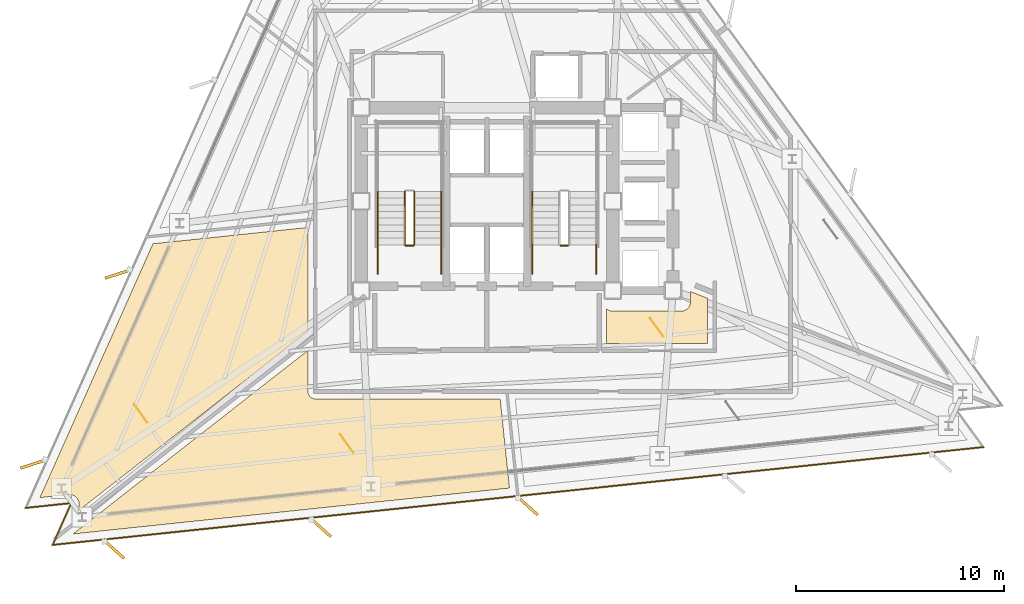
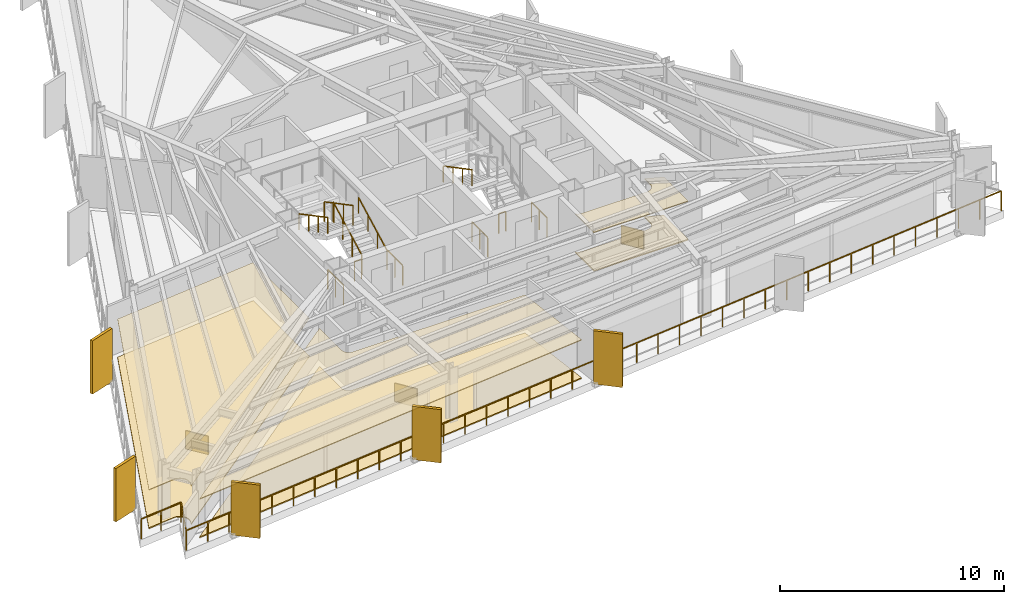
# One storey, part 10 of 12: 12 railings, 9 coverings, 5 shading devices.
"""IFC4 building model written with IfcOpenShell, lengths in metres."""

from ifc_helpers import new_model, si_unit, direction, frame, origin, origin_2d, place, context, subcontext, project, spatial, polyline, rectangle, outline, extrude, material, layer, layer_set, type_object, element, save


model = new_model("IFC4")

# Units and contexts
model_context = context("Model", 3, precision=1e-05, world=origin(), true_north=direction((0.0, 1.0)))
body_context = subcontext(model_context, "Body", "Model", "MODEL_VIEW")
ifc_project = project(units=[si_unit("LENGTHUNIT", "METRE"), si_unit("AREAUNIT", "SQUARE_METRE"), si_unit("VOLUMEUNIT", "CUBIC_METRE"), si_unit("PLANEANGLEUNIT", "RADIAN"), si_unit("MASSUNIT", "GRAM", prefix="KILO")], contexts=[model_context])

# Site, building, storey
site_placement = place(None, origin())
site = spatial("IfcSite", under=ifc_project, at=site_placement, CompositionType="ELEMENT")
building_placement = place(site_placement, origin())
building = spatial("IfcBuilding", under=site, at=building_placement, Name="Rocaltana Carrier Exchange", CompositionType="ELEMENT")
storey_placement = place(building_placement, frame((0.0, 0.0, 104.639892578125)))
storey = spatial("IfcBuildingStorey", under=building, at=storey_placement, Name="L32", CompositionType="ELEMENT", Elevation=104.639892578125)

# Coverings
ifc_material_1 = material(Name="Calcium Sulphate & Aluminium Pedestal", Category="aluminium")
ifc_layer_1 = layer(ifc_material_1, 0.06005859375)
ifc_layer_set_1 = layer_set([ifc_layer_1], Name="Calcium Sulphate & Aluminium Pedestal")
covering_type_1 = type_object("IfcCoveringType", Name="Anti-Static Raised Exchange Access Floor 60", PredefinedType="FLOORING", material=ifc_layer_set_1)
covering_1_placement = place(storey_placement, origin())
element("IfcCovering", 1, at=covering_1_placement, inside=storey, type_object=covering_type_1, Name="L32 Cloud Architecture Office Finish Floor", PredefinedType="FLOORING", context=body_context, shape_type="SweptSolid", body=[
    extrude(outline(polyline([(-19.646240234375, -14.78759765625), (-19.640869140625, -14.774658203125), (-19.633544921875, -14.756103515625), (-19.625, -14.7294921875), (-19.61962890625, -14.71044921875), (-19.613525390625, -14.68310546875), (-19.610107421875, -14.66357421875), (-19.606689453125, -14.6357421875), (-19.60546875, -14.615966796875), (-19.60498046875, -14.587890625), (-19.60546875, -14.568115234375), (-19.607666015625, -14.540283203125), (-19.6103515625, -14.5205078125), (-19.615234375, -14.492919921875), (-19.619873046875, -14.4736328125), (-19.62744140625, -14.44677734375), (-19.6337890625, -14.427978515625), (-19.644287109375, -14.402099609375), (-19.652587890625, -14.3837890625), (-19.665283203125, -14.359130859375), (-19.675537109375, -14.341796875), (-19.690673828125, -14.318603515625), (-19.702392578125, -14.30224609375), (-19.719970703125, -14.280517578125), (-19.733154296875, -14.265625), (-19.752685546875, -14.245849609375), (-19.767578125, -14.232421875), (-19.7890625, -14.214599609375), (-19.804931640625, -14.20263671875), (-19.828125, -14.18701171875), (-19.84521484375, -14.176513671875), (-19.86962890625, -14.163330078125), (-19.8876953125, -14.15478515625), (-19.91357421875, -14.14404296875), (-19.932373046875, -14.137451171875), (-19.958984375, -14.12939453125), (-19.978271484375, -14.12451171875), (-20.005615234375, -14.119140625), (-20.025390625, -14.1162109375), (-20.05322265625, -14.113525390625), (-20.072998046875, -14.11279296875), (-20.10107421875, -14.11279296875), (-20.12109375, -14.114013671875), (-20.135009765625, -14.114990234375), (-21.49609375, -14.258056640625), (-16.060791015625, -2.050048828125), (-8.610107421875, -1.266845703125), (-8.610107421875, -6.27001953125), (-19.7177734375, -14.9482421875), (-19.646240234375, -14.78759765625)])), origin(), (0.0, 0.0, 1.0), 0.06005859375),
])
covering_2_placement = place(storey_placement, origin())
element("IfcCovering", 2, at=covering_2_placement, inside=storey, type_object=covering_type_1, Name="L32 Network Operations Office Finish Floor", PredefinedType="FLOORING", context=body_context, shape_type="SweptSolid", body=[
    extrude(outline(polyline([(-19.902587890625, -16.00634765625), (-8.610107421875, -7.18359375), (-8.610107421875, -9.14990234375), (-8.609619140625, -9.163818359375), (-8.609375, -9.171630859375), (-8.606689453125, -9.198974609375), (-8.60546875, -9.206787109375), (-8.60009765625, -9.233642578125), (-8.59814453125, -9.2412109375), (-8.590087890625, -9.267578125), (-8.58740234375, -9.27490234375), (-8.576904296875, -9.30029296875), (-8.57373046875, -9.307373046875), (-8.560791015625, -9.331787109375), (-8.556640625, -9.33837890625), (-8.54150390625, -9.361083984375), (-8.53662109375, -9.367431640625), (-8.519287109375, -9.388916015625), (-8.513916015625, -9.39453125), (-8.49462890625, -9.4140625), (-8.48876953125, -9.419189453125), (-8.467529296875, -9.436767578125), (-8.461181640625, -9.44140625), (-8.4384765625, -9.456787109375), (-8.431640625, -9.460693359375), (-8.407470703125, -9.4736328125), (-8.400390625, -9.47705078125), (-8.375, -9.487548828125), (-8.36767578125, -9.490234375), (-8.34130859375, -9.498291015625), (-8.33349609375, -9.5), (-8.306640625, -9.50537109375), (-8.298828125, -9.506591796875), (-8.271484375, -9.50927734375), (-8.263671875, -9.509765625), (-8.25, -9.510009765625), (0.6376953125, -9.510009765625), (1.08837890625, -13.800048828125), (-19.902587890625, -16.00634765625)])), origin(), (0.0, 0.0, 1.0), 0.06005859375),
])
covering_3_placement = place(storey_placement, origin())
element("IfcCovering", 3, at=covering_3_placement, inside=storey, type_object=covering_type_1, Name="L32 Optical Switching Laboratory Finish Floor", PredefinedType="FLOORING", context=body_context, shape_type="SweptSolid", body=[
    extrude(outline(polyline([(5.739990234375, -6.840087890625), (5.739990234375, -5.161865234375), (5.748779296875, -5.170654296875), (5.760498046875, -5.18115234375), (5.78173828125, -5.198486328125), (5.794189453125, -5.2080078125), (5.817138671875, -5.22314453125), (5.83056640625, -5.231201171875), (5.85498046875, -5.244140625), (5.869140625, -5.2509765625), (5.894287109375, -5.261474609375), (5.9091796875, -5.2666015625), (5.935546875, -5.274658203125), (5.95068359375, -5.278564453125), (5.977783203125, -5.283935546875), (5.9931640625, -5.2861328125), (6.0205078125, -5.288818359375), (6.036376953125, -5.289794921875), (6.050048828125, -5.2900390625), (9.35009765625, -5.2900390625), (9.36376953125, -5.289794921875), (9.37939453125, -5.288818359375), (9.40673828125, -5.2861328125), (9.42236328125, -5.283935546875), (9.44921875, -5.278564453125), (9.464599609375, -5.274658203125), (9.49072265625, -5.2666015625), (9.505615234375, -5.261474609375), (9.531005859375, -5.2509765625), (9.545166015625, -5.244140625), (9.5693359375, -5.231201171875), (9.582763671875, -5.22314453125), (9.605712890625, -5.2080078125), (9.618408203125, -5.198486328125), (9.639404296875, -5.18115234375), (9.651123046875, -5.170654296875), (9.670654296875, -5.151123046875), (9.68115234375, -5.139404296875), (9.698486328125, -5.118408203125), (9.7080078125, -5.105712890625), (9.72314453125, -5.082763671875), (9.731201171875, -5.0693359375), (9.744140625, -5.045166015625), (9.7509765625, -5.031005859375), (9.761474609375, -5.005615234375), (9.7666015625, -4.99072265625), (9.774658203125, -4.964599609375), (9.778564453125, -4.94921875), (9.783935546875, -4.92236328125), (9.7861328125, -4.90673828125), (9.788818359375, -4.87939453125), (9.789794921875, -4.86376953125), (9.7900390625, -4.85009765625), (9.7900390625, -4.34375), (10.60009765625, -4.6708984375), (10.60009765625, -6.840087890625), (5.739990234375, -6.840087890625)])), origin(), (0.0, 0.0, 1.0), 0.06005859375),
])
ifc_material_2 = material(Name="Mineral Fibre & Powder-Coated Aluminium", Category="aluminium")
ifc_layer_2 = layer(ifc_material_2, 0.044921875)
ifc_layer_set_2 = layer_set([ifc_layer_2], Name="Mineral Fibre & Powder-Coated Aluminium")
covering_type_2 = type_object("IfcCoveringType", Name="Micro-Perforated Acoustic Ceiling 45", PredefinedType="CEILING", material=ifc_layer_set_2)
covering_4_placement = place(storey_placement, frame((0.0, 0.0, 2.093017578125)))
element("IfcCovering", 4, at=covering_4_placement, inside=storey, type_object=covering_type_2, Name="L32 Cloud Architecture Office Acoustic Ceiling", PredefinedType="CEILING", context=body_context, shape_type="SweptSolid", body=[
    extrude(outline(polyline([(-19.646240234375, -14.78759765625), (-19.640869140625, -14.774658203125), (-19.633544921875, -14.756103515625), (-19.625, -14.7294921875), (-19.61962890625, -14.71044921875), (-19.613525390625, -14.68310546875), (-19.610107421875, -14.66357421875), (-19.606689453125, -14.6357421875), (-19.60546875, -14.615966796875), (-19.60498046875, -14.587890625), (-19.60546875, -14.568115234375), (-19.607666015625, -14.540283203125), (-19.6103515625, -14.5205078125), (-19.615234375, -14.492919921875), (-19.619873046875, -14.4736328125), (-19.62744140625, -14.44677734375), (-19.6337890625, -14.427978515625), (-19.644287109375, -14.402099609375), (-19.652587890625, -14.3837890625), (-19.665283203125, -14.359130859375), (-19.675537109375, -14.341796875), (-19.690673828125, -14.318603515625), (-19.702392578125, -14.30224609375), (-19.719970703125, -14.280517578125), (-19.733154296875, -14.265625), (-19.752685546875, -14.245849609375), (-19.767578125, -14.232421875), (-19.7890625, -14.214599609375), (-19.804931640625, -14.20263671875), (-19.828125, -14.18701171875), (-19.84521484375, -14.176513671875), (-19.86962890625, -14.163330078125), (-19.8876953125, -14.15478515625), (-19.91357421875, -14.14404296875), (-19.932373046875, -14.137451171875), (-19.958984375, -14.12939453125), (-19.978271484375, -14.12451171875), (-20.005615234375, -14.119140625), (-20.025390625, -14.1162109375), (-20.05322265625, -14.113525390625), (-20.072998046875, -14.11279296875), (-20.10107421875, -14.11279296875), (-20.12109375, -14.114013671875), (-20.135009765625, -14.114990234375), (-21.49609375, -14.258056640625), (-16.060791015625, -2.050048828125), (-8.610107421875, -1.266845703125), (-8.610107421875, -6.27001953125), (-19.7177734375, -14.9482421875), (-19.646240234375, -14.78759765625)])), origin(), (0.0, 0.0, 1.0), 0.045166015625),
])
covering_5_placement = place(storey_placement, frame((0.0, 0.0, 2.093017578125)))
element("IfcCovering", 5, at=covering_5_placement, inside=storey, type_object=covering_type_2, Name="L32 Network Operations Office Acoustic Ceiling", PredefinedType="CEILING", context=body_context, shape_type="SweptSolid", body=[
    extrude(outline(polyline([(-19.902587890625, -16.00634765625), (-8.610107421875, -7.18359375), (-8.610107421875, -9.14990234375), (-8.609619140625, -9.163818359375), (-8.609375, -9.171630859375), (-8.606689453125, -9.198974609375), (-8.60546875, -9.206787109375), (-8.60009765625, -9.233642578125), (-8.59814453125, -9.2412109375), (-8.590087890625, -9.267578125), (-8.58740234375, -9.27490234375), (-8.576904296875, -9.30029296875), (-8.57373046875, -9.307373046875), (-8.560791015625, -9.331787109375), (-8.556640625, -9.33837890625), (-8.54150390625, -9.361083984375), (-8.53662109375, -9.367431640625), (-8.519287109375, -9.388916015625), (-8.513916015625, -9.39453125), (-8.49462890625, -9.4140625), (-8.48876953125, -9.419189453125), (-8.467529296875, -9.436767578125), (-8.461181640625, -9.44140625), (-8.4384765625, -9.456787109375), (-8.431640625, -9.460693359375), (-8.407470703125, -9.4736328125), (-8.400390625, -9.47705078125), (-8.375, -9.487548828125), (-8.36767578125, -9.490234375), (-8.34130859375, -9.498291015625), (-8.33349609375, -9.5), (-8.306640625, -9.50537109375), (-8.298828125, -9.506591796875), (-8.271484375, -9.50927734375), (-8.263671875, -9.509765625), (-8.25, -9.510009765625), (0.6376953125, -9.510009765625), (1.08837890625, -13.800048828125), (-19.902587890625, -16.00634765625)])), origin(), (0.0, 0.0, 1.0), 0.045166015625),
])
covering_6_placement = place(storey_placement, frame((0.0, 0.0, 2.093017578125)))
element("IfcCovering", 6, at=covering_6_placement, inside=storey, type_object=covering_type_2, Name="L32 Optical Switching Laboratory Acoustic Ceiling", PredefinedType="CEILING", context=body_context, shape_type="SweptSolid", body=[
    extrude(outline(polyline([(5.739990234375, -6.840087890625), (5.739990234375, -5.161865234375), (5.748779296875, -5.170654296875), (5.760498046875, -5.18115234375), (5.78173828125, -5.198486328125), (5.794189453125, -5.2080078125), (5.817138671875, -5.22314453125), (5.83056640625, -5.231201171875), (5.85498046875, -5.244140625), (5.869140625, -5.2509765625), (5.894287109375, -5.261474609375), (5.9091796875, -5.2666015625), (5.935546875, -5.274658203125), (5.95068359375, -5.278564453125), (5.977783203125, -5.283935546875), (5.9931640625, -5.2861328125), (6.0205078125, -5.288818359375), (6.036376953125, -5.289794921875), (6.050048828125, -5.2900390625), (9.35009765625, -5.2900390625), (9.36376953125, -5.289794921875), (9.37939453125, -5.288818359375), (9.40673828125, -5.2861328125), (9.42236328125, -5.283935546875), (9.44921875, -5.278564453125), (9.464599609375, -5.274658203125), (9.49072265625, -5.2666015625), (9.505615234375, -5.261474609375), (9.531005859375, -5.2509765625), (9.545166015625, -5.244140625), (9.5693359375, -5.231201171875), (9.582763671875, -5.22314453125), (9.605712890625, -5.2080078125), (9.618408203125, -5.198486328125), (9.639404296875, -5.18115234375), (9.651123046875, -5.170654296875), (9.670654296875, -5.151123046875), (9.68115234375, -5.139404296875), (9.698486328125, -5.118408203125), (9.7080078125, -5.105712890625), (9.72314453125, -5.082763671875), (9.731201171875, -5.0693359375), (9.744140625, -5.045166015625), (9.7509765625, -5.031005859375), (9.761474609375, -5.005615234375), (9.7666015625, -4.99072265625), (9.774658203125, -4.964599609375), (9.778564453125, -4.94921875), (9.783935546875, -4.92236328125), (9.7861328125, -4.90673828125), (9.788818359375, -4.87939453125), (9.789794921875, -4.86376953125), (9.7900390625, -4.85009765625), (9.7900390625, -4.34375), (10.60009765625, -4.6708984375), (10.60009765625, -6.840087890625), (5.739990234375, -6.840087890625)])), origin(), (0.0, 0.0, 1.0), 0.045166015625),
])

# Railings
ifc_material_3 = material(Name="Brushed Architectural Stainless Tube", Category="steel")
ifc_layer_3 = layer(ifc_material_3, 0.048095703125)
ifc_layer_set_3 = layer_set([ifc_layer_3], Name="Brushed Architectural Stainless Tube")
railing_type_1 = type_object("IfcRailingType", Name="Stair Wall Handrail 920", PredefinedType="HANDRAIL", material=ifc_layer_set_3)
railing_1_placement = place(storey_placement, frame((-2.18994140625, -2.10009765625, 0.1689453125)))
element("IfcRailing", 7, at=railing_1_placement, inside=storey, type_object=railing_type_1, Name="L32 ST-1 stair handrail 1", PredefinedType="HANDRAIL", context=body_context, shape_type="SweptSolid", body=[
    extrude(rectangle(XDim=0.048095703125, YDim=0.048095703125, at=origin_2d()), frame((0.0, 0.0, 0.8759765625), z_axis=(0.0, 0.884394423565, 0.466740295633), x_axis=(-1.0, 0.0, 0.0)), (0.0, 0.0, 1.0), 2.894775390625),
    extrude(rectangle(XDim=0.0419921875, YDim=0.0419921875, at=origin_2d()), origin(), (0.0, 0.0, 1.0), 0.851806640625),
    extrude(rectangle(XDim=0.0419921875, YDim=0.0419921875, at=origin_2d()), frame((0.0, 0.853271484375, 0.450439453125)), (0.0, 0.0, 1.0), 0.851806640625),
    extrude(rectangle(XDim=0.0419921875, YDim=0.0419921875, at=origin_2d()), frame((0.0, 1.706787109375, 0.900634765625)), (0.0, 0.0, 1.0), 0.851806640625),
    extrude(rectangle(XDim=0.0419921875, YDim=0.0419921875, at=origin_2d()), frame((0.0, 2.56005859375, 1.35107421875)), (0.0, 0.0, 1.0), 0.851806640625),
])
for number, where, name in (
    (8, (-5.25, 0.4599609375, 1.68896484375), "L32 ST-1 stair handrail 2"),
    (9, (2.18994140625, 0.4599609375, 1.68896484375), "L32 ST-2 stair handrail 2"),
):
    element("IfcRailing", number, at=place(storey_placement, frame(where)), inside=storey, type_object=railing_type_1, Name=name, PredefinedType="HANDRAIL", context=body_context, shape_type="SweptSolid", body=[
        extrude(rectangle(XDim=0.048095703125, YDim=0.048095703125, at=origin_2d()), frame((0.0, 0.0, 0.8759765625), z_axis=(0.0, -0.884394423565, 0.466740295633), x_axis=(1.0, 0.0, 0.0)), (0.0, 0.0, 1.0), 2.894775390625),
        extrude(rectangle(XDim=0.0419921875, YDim=0.0419921875, at=origin_2d()), origin(), (0.0, 0.0, 1.0), 0.851806640625),
        extrude(rectangle(XDim=0.0419921875, YDim=0.0419921875, at=origin_2d()), frame((0.0, -0.853271484375, 0.450439453125)), (0.0, 0.0, 1.0), 0.851806640625),
        extrude(rectangle(XDim=0.0419921875, YDim=0.0419921875, at=origin_2d()), frame((0.0, -1.706787109375, 0.900634765625)), (0.0, 0.0, 1.0), 0.851806640625),
        extrude(rectangle(XDim=0.0419921875, YDim=0.0419921875, at=origin_2d()), frame((0.0, -2.56005859375, 1.35107421875)), (0.0, 0.0, 1.0), 0.851806640625),
    ])
ifc_material_4 = material(Name="Powder-Coated Aluminium 6063-T6", Category="aluminium")
ifc_layer_4 = layer(ifc_material_4, 0.048095703125)
ifc_layer_set_4 = layer_set([ifc_layer_4], Name="Powder-Coated Aluminium 6063-T6")
railing_type_2 = type_object("IfcRailingType", Name="Stair Well Guardrail 1100", PredefinedType="GUARDRAIL", material=ifc_layer_set_4)
railing_2_placement = place(storey_placement, frame((-3.489990234375, -2.10009765625, 0.1689453125)))
element("IfcRailing", 10, at=railing_2_placement, inside=storey, type_object=railing_type_2, Name="L32 ST-1 stair guard 1", PredefinedType="GUARDRAIL", context=body_context, shape_type="SweptSolid", body=[
    extrude(rectangle(XDim=0.048095703125, YDim=0.048095703125, at=origin_2d()), frame((0.0, 0.0, 1.076171875), z_axis=(0.0, 0.884394423565, 0.466740295633), x_axis=(-1.0, 0.0, 0.0)), (0.0, 0.0, 1.0), 2.894775390625),
    extrude(rectangle(XDim=0.0419921875, YDim=0.0419921875, at=origin_2d()), origin(), (0.0, 0.0, 1.0), 1.052001953125),
    extrude(rectangle(XDim=0.0419921875, YDim=0.0419921875, at=origin_2d()), frame((0.0, 0.853271484375, 0.450439453125)), (0.0, 0.0, 1.0), 1.052001953125),
    extrude(rectangle(XDim=0.0419921875, YDim=0.0419921875, at=origin_2d()), frame((0.0, 1.706787109375, 0.900634765625)), (0.0, 0.0, 1.0), 1.052001953125),
    extrude(rectangle(XDim=0.0419921875, YDim=0.0419921875, at=origin_2d()), frame((0.0, 2.56005859375, 1.35107421875)), (0.0, 0.0, 1.0), 1.052001953125),
])
railing_3_placement = place(storey_placement, frame((-3.949951171875, 0.4599609375, 1.68896484375)))
element("IfcRailing", 11, at=railing_3_placement, inside=storey, type_object=railing_type_2, Name="L32 ST-1 stair guard 6", PredefinedType="GUARDRAIL", context=body_context, shape_type="SweptSolid", body=[
    extrude(rectangle(XDim=0.048095703125, YDim=0.048095703125, at=origin_2d()), frame((0.0, 0.0, 1.076171875), z_axis=(0.0, -0.884394423565, 0.466740295633), x_axis=(1.0, 0.0, 0.0)), (0.0, 0.0, 1.0), 2.894775390625),
    extrude(rectangle(XDim=0.0419921875, YDim=0.0419921875, at=origin_2d()), origin(), (0.0, 0.0, 1.0), 1.052001953125),
    extrude(rectangle(XDim=0.0419921875, YDim=0.0419921875, at=origin_2d()), frame((0.0, -0.853271484375, 0.450439453125)), (0.0, 0.0, 1.0), 1.052001953125),
    extrude(rectangle(XDim=0.0419921875, YDim=0.0419921875, at=origin_2d()), frame((0.0, -1.706787109375, 0.900634765625)), (0.0, 0.0, 1.0), 1.052001953125),
    extrude(rectangle(XDim=0.0419921875, YDim=0.0419921875, at=origin_2d()), frame((0.0, -2.56005859375, 1.35107421875)), (0.0, 0.0, 1.0), 1.052001953125),
])
railing_4_placement = place(storey_placement, frame((-3.5400390625, -2.14990234375, 0.0)))
element("IfcRailing", 12, at=railing_4_placement, inside=storey, type_object=railing_type_2, Name="L32 ST-1 stair guard 7", PredefinedType="GUARDRAIL", context=body_context, shape_type="SweptSolid", body=[
    extrude(rectangle(XDim=0.048095703125, YDim=0.048095703125, at=origin_2d()), frame((0.0, 0.0, 1.076171875), z_axis=(-1.0, 0.0, 0.0), x_axis=(0.0, -1.0, 0.0)), (0.0, 0.0, 1.0), 0.35986328125),
    extrude(rectangle(XDim=0.0419921875, YDim=0.0419921875, at=origin_2d()), origin(), (0.0, 0.0, 1.0), 1.052001953125),
    extrude(rectangle(XDim=0.0419921875, YDim=0.0419921875, at=origin_2d()), frame((-0.35986328125, 0.0, 0.0)), (0.0, 0.0, 1.0), 1.052001953125),
])
for number, where, name in (
    (13, (-2.18994140625, -3.5, 0.0), "L32 ST-1 stair guard 8"),
    (14, (-5.25, -3.5, 0.0), "L32 ST-1 stair guard 9"),
):
    element("IfcRailing", number, at=place(storey_placement, frame(where)), inside=storey, type_object=railing_type_2, Name=name, PredefinedType="GUARDRAIL", context=body_context, shape_type="SweptSolid", body=[
        extrude(rectangle(XDim=0.048095703125, YDim=0.048095703125, at=origin_2d()), frame((0.0, 0.0, 1.076171875), z_axis=(0.0, 1.0, 0.0), x_axis=(-1.0, 0.0, 0.0)), (0.0, 0.0, 1.0), 1.39990234375),
        extrude(rectangle(XDim=0.0419921875, YDim=0.0419921875, at=origin_2d()), origin(), (0.0, 0.0, 1.0), 1.052001953125),
        extrude(rectangle(XDim=0.0419921875, YDim=0.0419921875, at=origin_2d()), frame((0.0, 0.699951171875, 0.0)), (0.0, 0.0, 1.0), 1.052001953125),
        extrude(rectangle(XDim=0.0419921875, YDim=0.0419921875, at=origin_2d()), frame((0.0, 1.39990234375, 0.0)), (0.0, 0.0, 1.0), 1.052001953125),
    ])
railing_5_placement = place(storey_placement, frame((3.89990234375, -2.14990234375, 0.0)))
element("IfcRailing", 15, at=railing_5_placement, inside=storey, type_object=railing_type_2, Name="L32 ST-2 stair guard 7", PredefinedType="GUARDRAIL", context=body_context, shape_type="SweptSolid", body=[
    extrude(rectangle(XDim=0.048095703125, YDim=0.048095703125, at=origin_2d()), frame((0.0, 0.0, 1.076171875), z_axis=(-1.0, 0.0, 0.0), x_axis=(0.0, -1.0, 0.0)), (0.0, 0.0, 1.0), 0.35986328125),
    extrude(rectangle(XDim=0.0419921875, YDim=0.0419921875, at=origin_2d()), origin(), (0.0, 0.0, 1.0), 1.052001953125),
    extrude(rectangle(XDim=0.0419921875, YDim=0.0419921875, at=origin_2d()), frame((-0.35986328125, 0.0, 0.0)), (0.0, 0.0, 1.0), 1.052001953125),
])
for number, where, name in (
    (16, (5.25, -3.5, 0.0), "L32 ST-2 stair guard 8"),
    (17, (2.18994140625, -3.5, 0.0), "L32 ST-2 stair guard 9"),
):
    element("IfcRailing", number, at=place(storey_placement, frame(where)), inside=storey, type_object=railing_type_2, Name=name, PredefinedType="GUARDRAIL", context=body_context, shape_type="SweptSolid", body=[
        extrude(rectangle(XDim=0.048095703125, YDim=0.048095703125, at=origin_2d()), frame((0.0, 0.0, 1.076171875), z_axis=(0.0, 1.0, 0.0), x_axis=(-1.0, 0.0, 0.0)), (0.0, 0.0, 1.0), 1.39990234375),
        extrude(rectangle(XDim=0.0419921875, YDim=0.0419921875, at=origin_2d()), origin(), (0.0, 0.0, 1.0), 1.052001953125),
        extrude(rectangle(XDim=0.0419921875, YDim=0.0419921875, at=origin_2d()), frame((0.0, 0.699951171875, 0.0)), (0.0, 0.0, 1.0), 1.052001953125),
        extrude(rectangle(XDim=0.0419921875, YDim=0.0419921875, at=origin_2d()), frame((0.0, 1.39990234375, 0.0)), (0.0, 0.0, 1.0), 1.052001953125),
    ])

# Coverings
ifc_material_5 = material(Name="Honed Piedra Muneca Sandstone", Category="masonry")
ifc_layer_5 = layer(ifc_material_5, 0.034912109375)
ifc_layer_set_5 = layer_set([ifc_layer_5], Name="Honed Piedra Muneca Sandstone")
covering_type_3 = type_object("IfcCoveringType", Name="Stone Facade Cladding 35", PredefinedType="CLADDING", material=ifc_layer_set_5)
for number, where, z_axis, x_axis, name in (
    (18, (-16.6572265625, -10.19140625, 0.0), (0.0, 0.0, 1.0), (-0.587785252292, 0.809016994375, 0.0), "L32 Stone Facade Cladding Panel 1"),
    (19, (-6.735107421875, -11.655029296875, 0.0), (0.0, 0.0, 1.0), (-0.587785252292, 0.809016994375, 0.0), "L32 Stone Facade Cladding Panel 2"),
    (20, (8.169921875, -6.06494140625, 0.0), (0.0, 0.0, 1.0), (-0.587785252292, 0.809016994375, 0.0), "L32 Stone Facade Cladding Panel 4"),
):
    element("IfcCovering", number, at=place(storey_placement, frame(where, z_axis=z_axis, x_axis=x_axis)), inside=storey, type_object=covering_type_3, Name=name, PredefinedType="CLADDING", context=body_context, shape_type="SweptSolid", body=[
        extrude(rectangle(XDim=1.10009765625, YDim=0.034912109375, at=origin_2d()), origin(), (0.0, 0.0, 1.0), 1.050048828125),
    ])

# Shading devices
ifc_material_6 = material(Name="Honed Bogota Sandstone & Concrete C45/55", Category="masonry")
ifc_layer_6 = layer(ifc_material_6, 0.139892578125)
ifc_layer_set_6 = layer_set([ifc_layer_6], Name="Honed Bogota Sandstone & Concrete C45/55")
shading_device_type = type_object("IfcShadingDeviceType", Name="Vertical Sandstone Shading Fin 1320x140", PredefinedType="USERDEFINED", material=ifc_layer_set_6)
for number, where, z_axis, x_axis, name in (
    (21, (-17.7373046875, -3.50341796875, -0.11962890625), (0.0, 0.0, 1.0), (-0.951056516295, -0.309016994375, 0.0), "L32 Sandstone Vertical Fin F2-04"),
    (22, (-21.8046875, -12.638671875, -0.11962890625), (0.0, 0.0, 1.0), (-0.951056516295, -0.309016994375, 0.0), "L32 Sandstone Vertical Fin F2-05"),
    (23, (-17.93310546875, -16.745361328125, -0.11962890625), (0.0, 0.0, 1.0), (0.743144825477, -0.669130606359, 0.0), "L32 Sandstone Vertical Fin F3-01"),
    (24, (-7.98779296875, -15.699951171875, -0.11962890625), (0.0, 0.0, 1.0), (0.743144825477, -0.669130606359, 0.0), "L32 Sandstone Vertical Fin F3-02"),
    (25, (1.95751953125, -14.65478515625, -0.11962890625), (0.0, 0.0, 1.0), (0.743144825477, -0.669130606359, 0.0), "L32 Sandstone Vertical Fin F3-03"),
):
    element("IfcShadingDevice", number, at=place(storey_placement, frame(where, z_axis=z_axis, x_axis=x_axis)), inside=storey, type_object=shading_device_type, Name=name, ObjectType="FIN", PredefinedType="USERDEFINED", context=body_context, shape_type="SweptSolid", body=[
        extrude(rectangle(XDim=1.320068359375, YDim=0.139892578125, at=origin_2d()), origin(), (0.0, 0.0, 1.0), 2.907958984375),
    ])

# Railing
ifc_material_7 = material(Name="Powder-Coated Aluminium 6063-T6", Category="aluminium")
ifc_layer_7 = layer(ifc_material_7, 0.06005859375)
ifc_layer_set_7 = layer_set([ifc_layer_7], Name="Powder-Coated Aluminium 6063-T6")
railing_type_3 = type_object("IfcRailingType", Name="Wind-Floor & Terrace Perimeter Guardrail 1100", PredefinedType="GUARDRAIL", material=ifc_layer_set_7)
railing_6_placement = place(storey_placement, frame((23.86328125, -11.82861328125, 0.0)))
element("IfcRailing", 26, at=railing_6_placement, inside=storey, type_object=railing_type_3, Name="L32 Perimeter Balcony Guardrail 1", PredefinedType="GUARDRAIL", context=body_context, shape_type="SweptSolid", body=[
    extrude(rectangle(XDim=0.048095703125, YDim=0.048095703125, at=origin_2d()), frame((0.0, 0.0, 1.076171875), z_axis=(-0.994521497127, -0.104532252211, 0.0), x_axis=(0.104532252211, -0.994521497127, 0.0)), (0.0, 0.0, 1.0), 44.9921875),
    extrude(rectangle(XDim=0.048095703125, YDim=0.048095703125, at=origin_2d()), frame((-44.74560546875, -4.703125, 1.076171875), z_axis=(0.406725294076, 0.913550510459, 0.0), x_axis=(-0.913550510459, 0.406725294076, 0.0)), (0.0, 0.0, 1.0), 2.199951171875),
    extrude(rectangle(XDim=0.048095703125, YDim=0.048095703125, at=origin_2d()), frame((-43.850830078125, -2.693359375, 1.076171875), z_axis=(-0.994521251134, -0.104534592565, 0.0), x_axis=(0.104534592565, -0.994521251134, 0.0)), (0.0, 0.0, 1.0), 2.199951171875),
    extrude(rectangle(XDim=0.0419921875, YDim=0.0419921875, at=origin_2d()), origin(), (0.0, 0.0, 1.0), 1.052001953125),
    extrude(rectangle(XDim=0.0419921875, YDim=0.0419921875, at=origin_2d()), frame((-1.177490234375, -0.123779296875, 0.0)), (0.0, 0.0, 1.0), 1.052001953125),
    extrude(rectangle(XDim=0.0419921875, YDim=0.0419921875, at=origin_2d()), frame((-2.35498046875, -0.24755859375, 0.0)), (0.0, 0.0, 1.0), 1.052001953125),
    extrude(rectangle(XDim=0.0419921875, YDim=0.0419921875, at=origin_2d()), frame((-3.532470703125, -0.371337890625, 0.0)), (0.0, 0.0, 1.0), 1.052001953125),
    extrude(rectangle(XDim=0.0419921875, YDim=0.0419921875, at=origin_2d()), frame((-4.7099609375, -0.4951171875, 0.0)), (0.0, 0.0, 1.0), 1.052001953125),
    extrude(rectangle(XDim=0.0419921875, YDim=0.0419921875, at=origin_2d()), frame((-5.8876953125, -0.618896484375, 0.0)), (0.0, 0.0, 1.0), 1.052001953125),
    extrude(rectangle(XDim=0.0419921875, YDim=0.0419921875, at=origin_2d()), frame((-7.065185546875, -0.74267578125, 0.0)), (0.0, 0.0, 1.0), 1.052001953125),
    extrude(rectangle(XDim=0.0419921875, YDim=0.0419921875, at=origin_2d()), frame((-8.24267578125, -0.866455078125, 0.0)), (0.0, 0.0, 1.0), 1.052001953125),
    extrude(rectangle(XDim=0.0419921875, YDim=0.0419921875, at=origin_2d()), frame((-9.420166015625, -0.990234375, 0.0)), (0.0, 0.0, 1.0), 1.052001953125),
    extrude(rectangle(XDim=0.0419921875, YDim=0.0419921875, at=origin_2d()), frame((-10.59765625, -1.114013671875, 0.0)), (0.0, 0.0, 1.0), 1.052001953125),
    extrude(rectangle(XDim=0.0419921875, YDim=0.0419921875, at=origin_2d()), frame((-11.775146484375, -1.237548828125, 0.0)), (0.0, 0.0, 1.0), 1.052001953125),
    extrude(rectangle(XDim=0.0419921875, YDim=0.0419921875, at=origin_2d()), frame((-12.95263671875, -1.361328125, 0.0)), (0.0, 0.0, 1.0), 1.052001953125),
    extrude(rectangle(XDim=0.0419921875, YDim=0.0419921875, at=origin_2d()), frame((-14.130126953125, -1.485107421875, 0.0)), (0.0, 0.0, 1.0), 1.052001953125),
    extrude(rectangle(XDim=0.0419921875, YDim=0.0419921875, at=origin_2d()), frame((-15.3076171875, -1.60888671875, 0.0)), (0.0, 0.0, 1.0), 1.052001953125),
    extrude(rectangle(XDim=0.0419921875, YDim=0.0419921875, at=origin_2d()), frame((-16.485107421875, -1.732666015625, 0.0)), (0.0, 0.0, 1.0), 1.052001953125),
    extrude(rectangle(XDim=0.0419921875, YDim=0.0419921875, at=origin_2d()), frame((-17.662841796875, -1.8564453125, 0.0)), (0.0, 0.0, 1.0), 1.052001953125),
    extrude(rectangle(XDim=0.0419921875, YDim=0.0419921875, at=origin_2d()), frame((-18.84033203125, -1.980224609375, 0.0)), (0.0, 0.0, 1.0), 1.052001953125),
    extrude(rectangle(XDim=0.0419921875, YDim=0.0419921875, at=origin_2d()), frame((-20.017822265625, -2.10400390625, 0.0)), (0.0, 0.0, 1.0), 1.052001953125),
    extrude(rectangle(XDim=0.0419921875, YDim=0.0419921875, at=origin_2d()), frame((-21.1953125, -2.227783203125, 0.0)), (0.0, 0.0, 1.0), 1.052001953125),
    extrude(rectangle(XDim=0.0419921875, YDim=0.0419921875, at=origin_2d()), frame((-22.372802734375, -2.3515625, 0.0)), (0.0, 0.0, 1.0), 1.052001953125),
    extrude(rectangle(XDim=0.0419921875, YDim=0.0419921875, at=origin_2d()), frame((-23.55029296875, -2.475341796875, 0.0)), (0.0, 0.0, 1.0), 1.052001953125),
    extrude(rectangle(XDim=0.0419921875, YDim=0.0419921875, at=origin_2d()), frame((-24.727783203125, -2.59912109375, 0.0)), (0.0, 0.0, 1.0), 1.052001953125),
    extrude(rectangle(XDim=0.0419921875, YDim=0.0419921875, at=origin_2d()), frame((-25.9052734375, -2.722900390625, 0.0)), (0.0, 0.0, 1.0), 1.052001953125),
    extrude(rectangle(XDim=0.0419921875, YDim=0.0419921875, at=origin_2d()), frame((-27.082763671875, -2.8466796875, 0.0)), (0.0, 0.0, 1.0), 1.052001953125),
    extrude(rectangle(XDim=0.0419921875, YDim=0.0419921875, at=origin_2d()), frame((-28.260498046875, -2.970458984375, 0.0)), (0.0, 0.0, 1.0), 1.052001953125),
    extrude(rectangle(XDim=0.0419921875, YDim=0.0419921875, at=origin_2d()), frame((-29.43798828125, -3.09423828125, 0.0)), (0.0, 0.0, 1.0), 1.052001953125),
    extrude(rectangle(XDim=0.0419921875, YDim=0.0419921875, at=origin_2d()), frame((-30.615478515625, -3.218017578125, 0.0)), (0.0, 0.0, 1.0), 1.052001953125),
    extrude(rectangle(XDim=0.0419921875, YDim=0.0419921875, at=origin_2d()), frame((-31.79296875, -3.341796875, 0.0)), (0.0, 0.0, 1.0), 1.052001953125),
    extrude(rectangle(XDim=0.0419921875, YDim=0.0419921875, at=origin_2d()), frame((-32.970458984375, -3.465576171875, 0.0)), (0.0, 0.0, 1.0), 1.052001953125),
    extrude(rectangle(XDim=0.0419921875, YDim=0.0419921875, at=origin_2d()), frame((-34.14794921875, -3.589111328125, 0.0)), (0.0, 0.0, 1.0), 1.052001953125),
    extrude(rectangle(XDim=0.0419921875, YDim=0.0419921875, at=origin_2d()), frame((-35.325439453125, -3.712890625, 0.0)), (0.0, 0.0, 1.0), 1.052001953125),
    extrude(rectangle(XDim=0.0419921875, YDim=0.0419921875, at=origin_2d()), frame((-36.5029296875, -3.836669921875, 0.0)), (0.0, 0.0, 1.0), 1.052001953125),
    extrude(rectangle(XDim=0.0419921875, YDim=0.0419921875, at=origin_2d()), frame((-37.680419921875, -3.96044921875, 0.0)), (0.0, 0.0, 1.0), 1.052001953125),
    extrude(rectangle(XDim=0.0419921875, YDim=0.0419921875, at=origin_2d()), frame((-38.85791015625, -4.084228515625, 0.0)), (0.0, 0.0, 1.0), 1.052001953125),
    extrude(rectangle(XDim=0.0419921875, YDim=0.0419921875, at=origin_2d()), frame((-40.03564453125, -4.2080078125, 0.0)), (0.0, 0.0, 1.0), 1.052001953125),
    extrude(rectangle(XDim=0.0419921875, YDim=0.0419921875, at=origin_2d()), frame((-41.213134765625, -4.331787109375, 0.0)), (0.0, 0.0, 1.0), 1.052001953125),
    extrude(rectangle(XDim=0.0419921875, YDim=0.0419921875, at=origin_2d()), frame((-42.390625, -4.45556640625, 0.0)), (0.0, 0.0, 1.0), 1.052001953125),
    extrude(rectangle(XDim=0.0419921875, YDim=0.0419921875, at=origin_2d()), frame((-43.568115234375, -4.579345703125, 0.0)), (0.0, 0.0, 1.0), 1.052001953125),
    extrude(rectangle(XDim=0.0419921875, YDim=0.0419921875, at=origin_2d()), frame((-44.74560546875, -4.703125, 0.0)), (0.0, 0.0, 1.0), 1.052001953125),
    extrude(rectangle(XDim=0.0419921875, YDim=0.0419921875, at=origin_2d()), frame((-44.29833984375, -3.6982421875, 0.0)), (0.0, 0.0, 1.0), 1.052001953125),
    extrude(rectangle(XDim=0.0419921875, YDim=0.0419921875, at=origin_2d()), frame((-43.850830078125, -2.693359375, 0.0)), (0.0, 0.0, 1.0), 1.052001953125),
    extrude(rectangle(XDim=0.0419921875, YDim=0.0419921875, at=origin_2d()), frame((-44.94482421875, -2.808349609375, 0.0)), (0.0, 0.0, 1.0), 1.052001953125),
    extrude(rectangle(XDim=0.0419921875, YDim=0.0419921875, at=origin_2d()), frame((-46.038818359375, -2.92333984375, 0.0)), (0.0, 0.0, 1.0), 1.052001953125),
])

save(model, "model.ifc")
